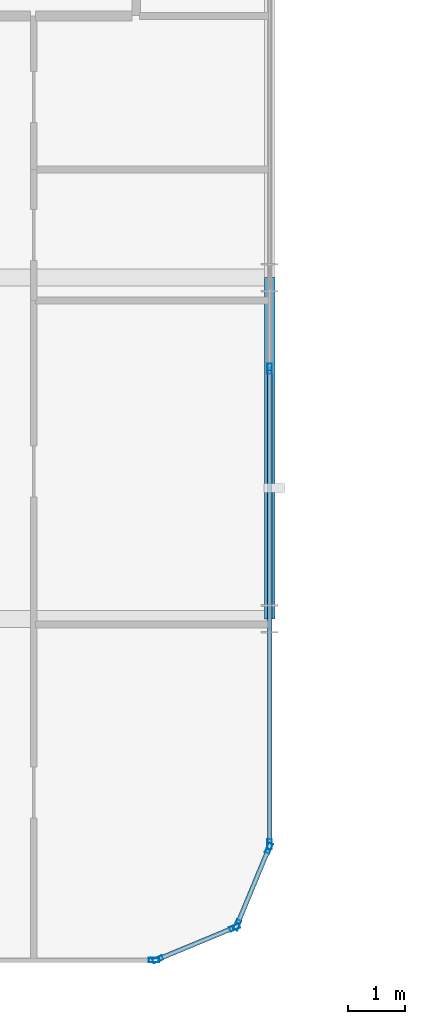
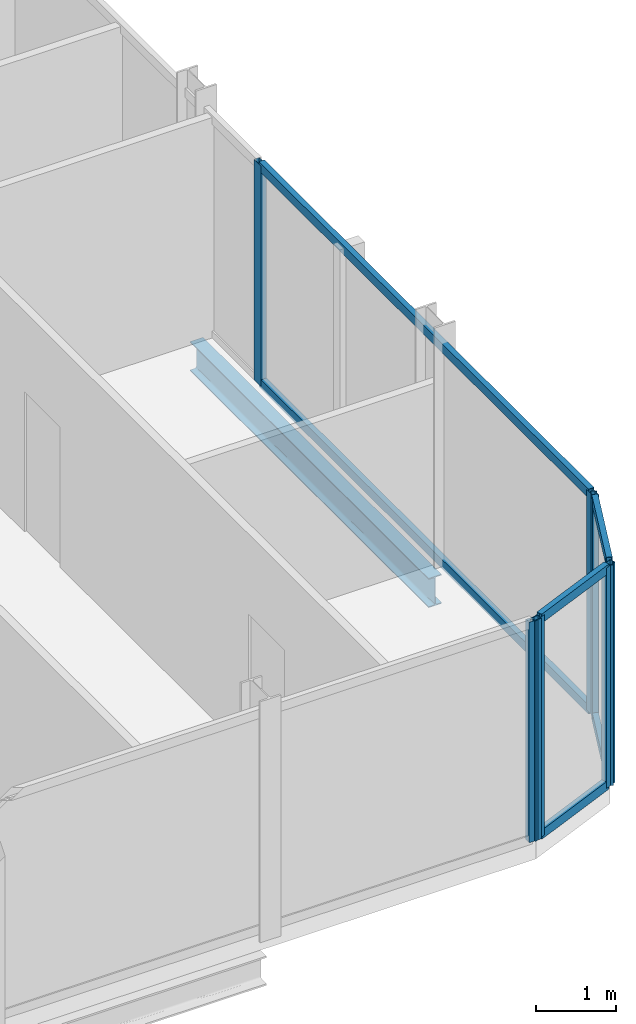
# One storey, part 11 of 31: 13 members, 1 beam, 4 elements without a shape of their own.
"""IFC4 building model written with IfcOpenShell, lengths in metres."""

from ifc_helpers import new_model, si_unit, direction, frame, origin, origin_2d, place, context, subcontext, project, spatial, hollow_rectangle, i_section, extrude, material, layer, layer_set, material_profile, profile_set, type_object, element, aggregate, save


model = new_model("IFC4")

# Units and contexts
model_context = context("Model", 3, precision=1e-05, world=origin(), true_north=direction((0.0, 1.0)))
body_context = subcontext(model_context, "Body", "Model", "MODEL_VIEW")
ifc_project = project(units=[si_unit("LENGTHUNIT", "METRE"), si_unit("AREAUNIT", "SQUARE_METRE"), si_unit("VOLUMEUNIT", "CUBIC_METRE"), si_unit("PLANEANGLEUNIT", "RADIAN"), si_unit("MASSUNIT", "GRAM", prefix="KILO")], contexts=[model_context])

# Site, building, storey
site_placement = place(None, origin())
site = spatial("IfcSite", under=ifc_project, at=site_placement, CompositionType="ELEMENT")
building_placement = place(site_placement, origin())
building = spatial("IfcBuilding", under=site, at=building_placement, Name="Keshet Zoharim Tower", CompositionType="ELEMENT")
storey_placement = place(building_placement, frame((0.0, 0.0, 133.5)))
storey = spatial("IfcBuildingStorey", under=building, at=storey_placement, Name="L32", CompositionType="ELEMENT", Elevation=133.5)

# Beam
ifc_material_1 = material(Name="Steel S355", Category="steel")
ifc_material_profile_1 = material_profile(ifc_material_1, i_section(OverallWidth=0.18994140625, OverallDepth=0.449951171875, WebThickness=0.009521484375, FlangeThickness=0.0146484375, FilletRadius=0.02099609375, at=origin_2d()), Name="IPE450")
ifc_profile_set_1 = profile_set([ifc_material_profile_1], Name="Steel S355")
beam_type = type_object("IfcBeamType", Name="BM-PRI-IP450", PredefinedType="BEAM", material=ifc_profile_set_1)
beam_placement = place(storey_placement, frame((57.0, 6.699951171875, -0.5400390625), z_axis=(0.0, 1.0, 0.0), x_axis=(-1.0, 0.0, 0.0)))
element("IfcBeam", 1, at=beam_placement, inside=storey, type_object=beam_type, Name="L32 Primary Girder Y-013", PredefinedType="BEAM", context=body_context, shape_type="SweptSolid", body=[
    extrude(i_section(OverallWidth=0.18994140625, OverallDepth=0.449951171875, WebThickness=0.009521484375, FlangeThickness=0.0146484375, FilletRadius=0.02099609375, at=origin_2d()), origin(), (0.0, 0.0, 1.0), 6.0),
])

# Curtain wall, members
ifc_material_2 = material(Name="Aluminium 6063-T6", Category="aluminium")
ifc_layer = layer(ifc_material_2, 0.159912109375)
ifc_layer_set = layer_set([ifc_layer], Name="Aluminium 6063-T6")
curtain_wall_type = type_object("IfcCurtainWallType", Name="CW-SYS-03", PredefinedType="NOTDEFINED", material=ifc_layer_set)
curtain_wall_1_placement = place(storey_placement, origin())
curtain_wall_1 = element("IfcCurtainWall", 2, at=curtain_wall_1_placement, inside=storey, type_object=curtain_wall_type, Name="L32 Unitised Curtain Wall 01", PredefinedType="NOTDEFINED")
ifc_material_profile_2 = material_profile(ifc_material_2, hollow_rectangle(XDim=0.080078125, YDim=0.179931640625, WallThickness=0.00439453125, at=origin_2d()), Name="MUL-80x180")
ifc_profile_set_2 = profile_set([ifc_material_profile_2], Name="Aluminium 6063-T6")
member_type_1 = type_object("IfcMemberType", Name="CWM-M18", PredefinedType="MULLION", material=ifc_profile_set_2)
member_1_placement = place(storey_placement, frame((56.986572265625, 2.667724609375, 0.0), z_axis=(0.0, 0.0, 1.0), x_axis=(0.92380975372, -0.382851849847, 0.0)))
member_1 = element("IfcMember", 3, at=member_1_placement, type_object=member_type_1, Name="CW-03 mullion 1", PredefinedType="MULLION", context=body_context, shape_type="SweptSolid", body=[
    extrude(hollow_rectangle(XDim=0.080078125, YDim=0.179931640625, WallThickness=0.00439453125, at=origin_2d()), origin(), (0.0, 0.0, 1.0), 3.385009765625),
])
member_2_placement = place(storey_placement, frame((56.427490234375, 1.318359375, 0.0), z_axis=(0.0, 0.0, 1.0), x_axis=(0.92380975372, -0.382851849847, 0.0)))
member_2 = element("IfcMember", 4, at=member_2_placement, type_object=member_type_1, Name="CW-03 mullion 2", PredefinedType="MULLION", context=body_context, shape_type="SweptSolid", body=[
    extrude(hollow_rectangle(XDim=0.080078125, YDim=0.179931640625, WallThickness=0.00439453125, at=origin_2d()), origin(), (0.0, 0.0, 1.0), 3.385009765625),
])

curtain_wall_2_placement = place(storey_placement, origin())
curtain_wall_2 = element("IfcCurtainWall", 5, at=curtain_wall_2_placement, inside=storey, type_object=curtain_wall_type, Name="L32 Unitised Curtain Wall 02", PredefinedType="NOTDEFINED")
member_3_placement = place(storey_placement, frame((56.381591796875, 1.272705078125, 0.0), z_axis=(0.0, 0.0, 1.0), x_axis=(0.382851849847, -0.92380975372, 0.0)))
member_3 = element("IfcMember", 6, at=member_3_placement, type_object=member_type_1, Name="CW-03 mullion 1", PredefinedType="MULLION", context=body_context, shape_type="SweptSolid", body=[
    extrude(hollow_rectangle(XDim=0.080078125, YDim=0.179931640625, WallThickness=0.00439453125, at=origin_2d()), origin(), (0.0, 0.0, 1.0), 3.385009765625),
])
member_4_placement = place(storey_placement, frame((55.0322265625, 0.71337890625, 0.0), z_axis=(0.0, 0.0, 1.0), x_axis=(0.382851849847, -0.92380975372, 0.0)))
member_4 = element("IfcMember", 7, at=member_4_placement, type_object=member_type_1, Name="CW-03 mullion 2", PredefinedType="MULLION", context=body_context, shape_type="SweptSolid", body=[
    extrude(hollow_rectangle(XDim=0.080078125, YDim=0.179931640625, WallThickness=0.00439453125, at=origin_2d()), origin(), (0.0, 0.0, 1.0), 3.385009765625),
])

# Curtain wall, member
curtain_wall_3_placement = place(storey_placement, origin())
curtain_wall_3 = element("IfcCurtainWall", 8, at=curtain_wall_3_placement, inside=storey, type_object=curtain_wall_type, Name="L32 Unitised Curtain Wall 03", PredefinedType="NOTDEFINED")
member_5_placement = place(storey_placement, frame((54.965087890625, 0.699951171875, 0.0), z_axis=(0.0, 0.0, 1.0), x_axis=(0.0, -1.0, 0.0)))
member_5 = element("IfcMember", 9, at=member_5_placement, type_object=member_type_1, Name="CW-03 mullion 1", PredefinedType="MULLION", context=body_context, shape_type="SweptSolid", body=[
    extrude(hollow_rectangle(XDim=0.080078125, YDim=0.179931640625, WallThickness=0.00439453125, at=origin_2d()), origin(), (0.0, 0.0, 1.0), 3.385009765625),
])
aggregate(curtain_wall_3, [member_5])

# Curtain wall, members
curtain_wall_4_placement = place(storey_placement, origin())
curtain_wall_4 = element("IfcCurtainWall", 10, at=curtain_wall_4_placement, inside=storey, type_object=curtain_wall_type, Name="L32 Unitised Curtain Wall 19", PredefinedType="NOTDEFINED")
member_6_placement = place(storey_placement, frame((57.0, 11.10009765625, 0.0), z_axis=(0.0, 0.0, 1.0), x_axis=(1.0, 0.0, 0.0)))
member_6 = element("IfcMember", 11, at=member_6_placement, type_object=member_type_1, Name="CW-03 mullion 3", PredefinedType="MULLION", context=body_context, shape_type="SweptSolid", body=[
    extrude(hollow_rectangle(XDim=0.080078125, YDim=0.179931640625, WallThickness=0.00439453125, at=origin_2d()), origin(), (0.0, 0.0, 1.0), 3.385009765625),
])
member_7_placement = place(storey_placement, frame((57.0, 2.735107421875, 0.0), z_axis=(0.0, 0.0, 1.0), x_axis=(1.0, 0.0, 0.0)))
member_7 = element("IfcMember", 12, at=member_7_placement, type_object=member_type_1, Name="CW-03 mullion 4", PredefinedType="MULLION", context=body_context, shape_type="SweptSolid", body=[
    extrude(hollow_rectangle(XDim=0.080078125, YDim=0.179931640625, WallThickness=0.00439453125, at=origin_2d()), origin(), (0.0, 0.0, 1.0), 3.385009765625),
])

# Member
ifc_material_profile_3 = material_profile(ifc_material_2, hollow_rectangle(XDim=0.080078125, YDim=0.139892578125, WallThickness=0.00390625, at=origin_2d()), Name="TRN-80x140")
ifc_profile_set_3 = profile_set([ifc_material_profile_3], Name="Aluminium 6063-T6")
member_type_2 = type_object("IfcMemberType", Name="CWT-T14", PredefinedType="USERDEFINED", material=ifc_profile_set_3)
member_8_placement = place(storey_placement, frame((56.97314453125, 2.63525390625, 0.034912109375), z_axis=(-0.382744609247, -0.923854189844, 0.0), x_axis=(0.923854189844, -0.382744609247, 0.0)))
member_8 = element("IfcMember", 13, at=member_8_placement, type_object=member_type_2, Name="CW-03 transom 1.1", ObjectType="TRANSOM", PredefinedType="USERDEFINED", context=body_context, shape_type="SweptSolid", body=[
    extrude(hollow_rectangle(XDim=0.080078125, YDim=0.139892578125, WallThickness=0.00390625, at=origin_2d()), origin(), (0.0, 0.0, 1.0), 1.390625),
])

member_9_placement = place(storey_placement, frame((56.97314453125, 2.63525390625, 3.35009765625), z_axis=(-0.382744609247, -0.923854189844, 0.0), x_axis=(0.923854189844, -0.382744609247, 0.0)))
member_9 = element("IfcMember", 14, at=member_9_placement, type_object=member_type_2, Name="CW-03 transom 1.2", ObjectType="TRANSOM", PredefinedType="USERDEFINED", context=body_context, shape_type="SweptSolid", body=[
    extrude(hollow_rectangle(XDim=0.080078125, YDim=0.139892578125, WallThickness=0.00390625, at=origin_2d()), origin(), (0.0, 0.0, 1.0), 1.390625),
])

aggregate(curtain_wall_1, [member_1, member_2, member_8, member_9])

member_10_placement = place(storey_placement, frame((56.349365234375, 1.25927734375, 0.034912109375), z_axis=(-0.92379209995, -0.382894445076, 0.0), x_axis=(0.382894445076, -0.92379209995, 0.0)))
member_10 = element("IfcMember", 15, at=member_10_placement, type_object=member_type_2, Name="CW-03 transom 1.1", ObjectType="TRANSOM", PredefinedType="USERDEFINED", context=body_context, shape_type="SweptSolid", body=[
    extrude(hollow_rectangle(XDim=0.080078125, YDim=0.139892578125, WallThickness=0.00390625, at=origin_2d()), origin(), (0.0, 0.0, 1.0), 1.390625),
])

member_11_placement = place(storey_placement, frame((56.349365234375, 1.25927734375, 3.35009765625), z_axis=(-0.92379209995, -0.382894445076, 0.0), x_axis=(0.382894445076, -0.92379209995, 0.0)))
member_11 = element("IfcMember", 16, at=member_11_placement, type_object=member_type_2, Name="CW-03 transom 1.2", ObjectType="TRANSOM", PredefinedType="USERDEFINED", context=body_context, shape_type="SweptSolid", body=[
    extrude(hollow_rectangle(XDim=0.080078125, YDim=0.139892578125, WallThickness=0.00390625, at=origin_2d()), origin(), (0.0, 0.0, 1.0), 1.390625),
])

aggregate(curtain_wall_2, [member_3, member_4, member_10, member_11])

member_12_placement = place(storey_placement, frame((57.0, 11.06494140625, 0.034912109375), z_axis=(0.0, -1.0, 0.0), x_axis=(1.0, 0.0, 0.0)))
member_12 = element("IfcMember", 17, at=member_12_placement, type_object=member_type_2, Name="CW-03 transom 3.1", ObjectType="TRANSOM", PredefinedType="USERDEFINED", context=body_context, shape_type="SweptSolid", body=[
    extrude(hollow_rectangle(XDim=0.080078125, YDim=0.139892578125, WallThickness=0.00390625, at=origin_2d()), origin(), (0.0, 0.0, 1.0), 8.294921875),
])

member_13_placement = place(storey_placement, frame((57.0, 11.06494140625, 3.35009765625), z_axis=(0.0, -1.0, 0.0), x_axis=(1.0, 0.0, 0.0)))
member_13 = element("IfcMember", 18, at=member_13_placement, type_object=member_type_2, Name="CW-03 transom 3.2", ObjectType="TRANSOM", PredefinedType="USERDEFINED", context=body_context, shape_type="SweptSolid", body=[
    extrude(hollow_rectangle(XDim=0.080078125, YDim=0.139892578125, WallThickness=0.00390625, at=origin_2d()), origin(), (0.0, 0.0, 1.0), 8.294921875),
])

aggregate(curtain_wall_4, [member_6, member_7, member_12, member_13])

save(model, "model.ifc")
